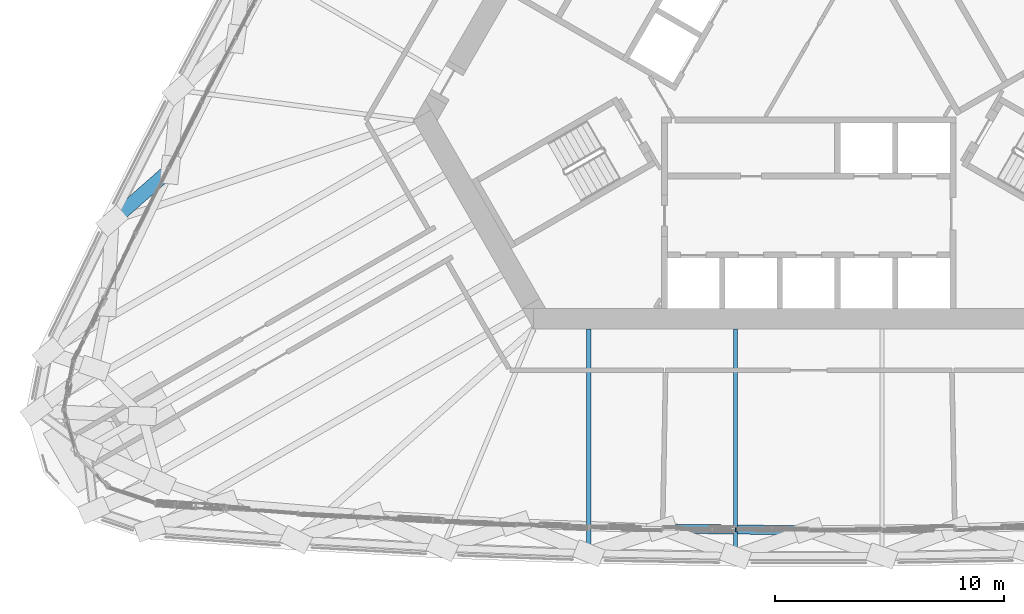
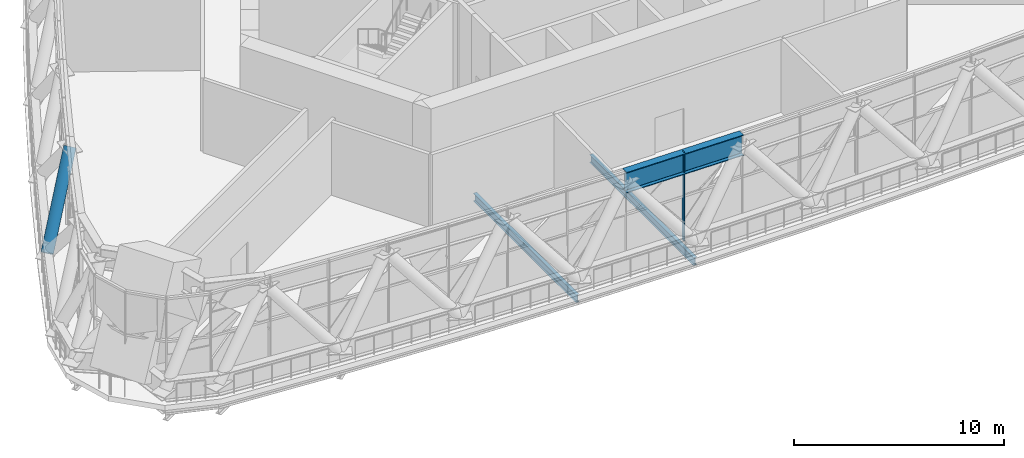
# One storey, part 3 of 43: 3 members, 2 beams, 1 element without a shape of its own.
"""IFC4 building model written with IfcOpenShell, lengths in metres."""

from ifc_helpers import new_model, si_unit, direction, frame, origin, origin_2d, place, context, subcontext, project, spatial, rectangle, hollow_circle, i_section, extrude, material, material_profile, profile_set, type_object, element, aggregate, save


model = new_model("IFC4")

# Units and contexts
model_context = context("Model", 3, precision=1e-05, world=origin(), true_north=direction((0.0, 1.0)))
body_context = subcontext(model_context, "Body", "Model", "MODEL_VIEW")
ifc_project = project(units=[si_unit("LENGTHUNIT", "METRE"), si_unit("AREAUNIT", "SQUARE_METRE"), si_unit("VOLUMEUNIT", "CUBIC_METRE"), si_unit("PLANEANGLEUNIT", "RADIAN"), si_unit("MASSUNIT", "GRAM", prefix="KILO")], contexts=[model_context])

# Site, building, storey
site_placement = place(None, origin())
site = spatial("IfcSite", under=ifc_project, at=site_placement, CompositionType="ELEMENT")
building_placement = place(site_placement, origin())
building = spatial("IfcBuilding", under=site, at=building_placement, Name="Mestral Congress Tower", CompositionType="ELEMENT")
storey_placement = place(building_placement, frame((0.0, 0.0, 78.300048828125)))
storey = spatial("IfcBuildingStorey", under=building, at=storey_placement, Name="L18", CompositionType="ELEMENT", Elevation=78.300048828125)

# Members
ifc_material_1 = material(Name="Steel S355", Category="steel")
ifc_material_profile_1 = material_profile(ifc_material_1, i_section(OverallWidth=0.39990234375, OverallDepth=1.199951171875, WebThickness=0.02001953125, FlangeThickness=0.0400390625, FilletRadius=0.010009765625, at=origin_2d()), Name="WPG 1200")
ifc_profile_set_1 = profile_set([ifc_material_profile_1], Name="Steel S355")
member_type_1 = type_object("IfcMemberType", Name="Belt chord WPG 1200 S355", PredefinedType="CHORD", material=ifc_profile_set_1)
member_1_placement = place(storey_placement, frame((-6.3994140625, -21.71875, 4.550048828125), z_axis=(0.999931419324, -0.011711389659, 0.0), x_axis=(0.011711389659, 0.999931419324, 0.0)))
element("IfcMember", 1, at=member_1_placement, inside=storey, type_object=member_type_1, Name="MB-L18-TC1-S03", PredefinedType="CHORD", context=body_context, shape_type="SweptSolid", body=[
    extrude(i_section(OverallWidth=0.39990234375, OverallDepth=1.199951171875, WebThickness=0.02001953125, FlangeThickness=0.0400390625, FilletRadius=0.010009765625, at=origin_2d()), origin(), (0.0, 0.0, 1.0), 6.39990234375),
])
ifc_material_profile_2 = material_profile(ifc_material_1, hollow_circle(Radius=0.304931640625, WallThickness=0.02490234375, at=origin_2d()), Name="CHS 610x25")
ifc_profile_set_2 = profile_set([ifc_material_profile_2], Name="Steel S355")
member_type_2 = type_object("IfcMemberType", Name="Belt diagonal CHS 610x25 S355", PredefinedType="BRACE", material=ifc_profile_set_2)
member_2_placement = place(storey_placement, frame((-30.421142578125, -8.28369140625, 0.599853515625), z_axis=(0.488321246679, 0.429001276058, 0.759934382156), x_axis=(-0.660002170291, 0.751263692196, 0.0)))
element("IfcMember", 2, at=member_2_placement, inside=storey, type_object=member_type_2, Name="MD-L18-BD1-W08.W07", PredefinedType="BRACE", context=body_context, shape_type="SweptSolid", body=[
    extrude(hollow_circle(Radius=0.304931640625, WallThickness=0.02490234375, at=origin_2d()), origin(), (0.0, 0.0, 1.0), 5.197998046875),
])

# Curtain wall, member
ifc_material_2 = material(Name="Clear low-emissivity double glazing", Category="glass")
curtain_wall_type = type_object("IfcCurtainWallType", Name="Facade refuge band screen", PredefinedType="USERDEFINED", material=ifc_material_2)
curtain_wall_placement = place(storey_placement, origin())
curtain_wall = element("IfcCurtainWall", 3, at=curtain_wall_placement, inside=storey, type_object=curtain_wall_type, Name="Facade refuge band screen face 1", ObjectType="CURTAIN WALL", PredefinedType="USERDEFINED")
ifc_material_3 = material(Name="Anodised aluminium", Category="aluminium")
ifc_material_profile_3 = material_profile(ifc_material_3, rectangle(XDim=0.179931640625, YDim=0.06005859375, at=origin_2d()), Name="CW3 mullion 180 x 60")
ifc_profile_set_3 = profile_set([ifc_material_profile_3], Name="Anodised aluminium")
member_type_3 = type_object("IfcMemberType", Name="Facade refuge band screen mullion", PredefinedType="MULLION", material=ifc_profile_set_3)
member_3_placement = place(storey_placement, frame((-3.189208984375, -21.76318359375, 0.0), z_axis=(0.0, 0.0, 1.0), x_axis=(-0.009243132098, -0.999957281342, 0.0)))
member_3 = element("IfcMember", 4, at=member_3_placement, type_object=member_type_3, Name="Facade refuge band screen mullion", PredefinedType="MULLION", context=body_context, shape_type="SweptSolid", body=[
    extrude(rectangle(XDim=0.179931640625, YDim=0.06005859375, at=origin_2d()), origin(), (0.0, 0.0, 1.0), 5.14990234375),
])
aggregate(curtain_wall, [member_3])

# Beams
ifc_material_profile_4 = material_profile(ifc_material_1, i_section(OverallWidth=0.18994140625, OverallDepth=0.449951171875, WebThickness=0.009521484375, FlangeThickness=0.0146484375, FilletRadius=0.02099609375, at=origin_2d()), Name="IPE 450")
ifc_profile_set_4 = profile_set([ifc_material_profile_4], Name="Steel S355")
beam_type = type_object("IfcBeamType", Name="Floor beam IPE 450 S355", PredefinedType="BEAM", material=ifc_profile_set_4)
beam_1_placement = place(storey_placement, frame((-9.598876953125, -22.794921875, -0.525146484375), z_axis=(0.0, 1.0, 0.0), x_axis=(-1.0, 0.0, 0.0)))
element("IfcBeam", 5, at=beam_1_placement, inside=storey, type_object=beam_type, Name="BM-L18-RB1-S03", PredefinedType="BEAM", context=body_context, shape_type="SweptSolid", body=[
    extrude(i_section(OverallWidth=0.18994140625, OverallDepth=0.449951171875, WebThickness=0.009521484375, FlangeThickness=0.0146484375, FilletRadius=0.02099609375, at=origin_2d()), origin(), (0.0, 0.0, 1.0), 9.794921875),
])
beam_2_placement = place(storey_placement, frame((-3.199951171875, -22.9130859375, -0.525146484375), z_axis=(0.0, 1.0, 0.0), x_axis=(-1.0, 0.0, 0.0)))
element("IfcBeam", 6, at=beam_2_placement, inside=storey, type_object=beam_type, Name="BM-L18-RB1-S04", PredefinedType="BEAM", context=body_context, shape_type="SweptSolid", body=[
    extrude(i_section(OverallWidth=0.18994140625, OverallDepth=0.449951171875, WebThickness=0.009521484375, FlangeThickness=0.0146484375, FilletRadius=0.02099609375, at=origin_2d()), origin(), (0.0, 0.0, 1.0), 9.9130859375),
])

save(model, "model.ifc")
